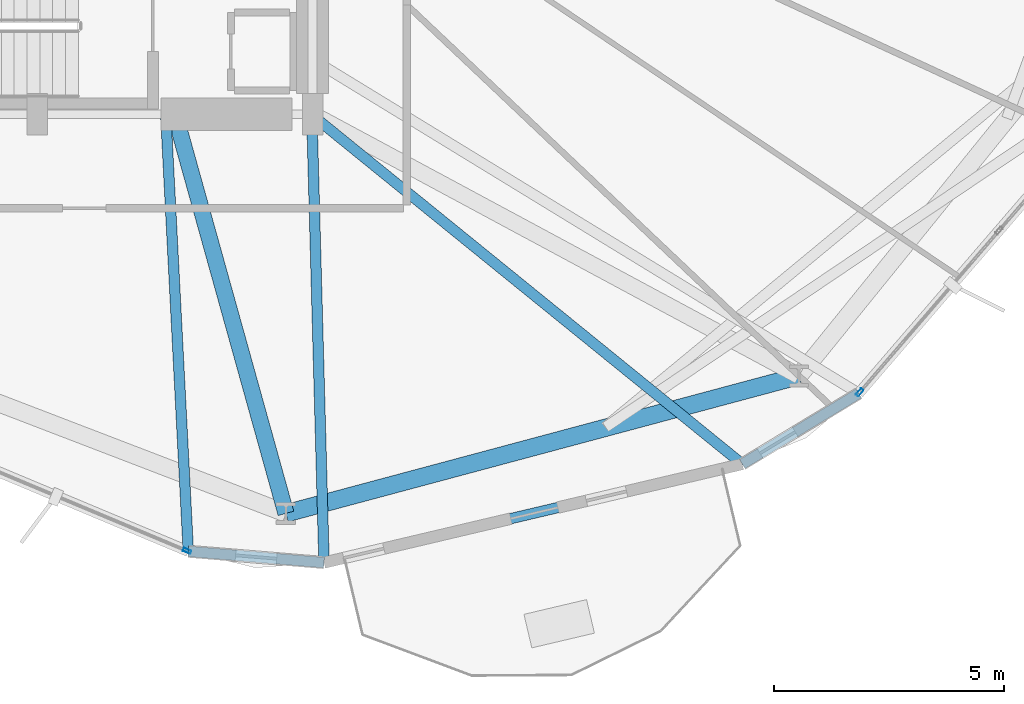
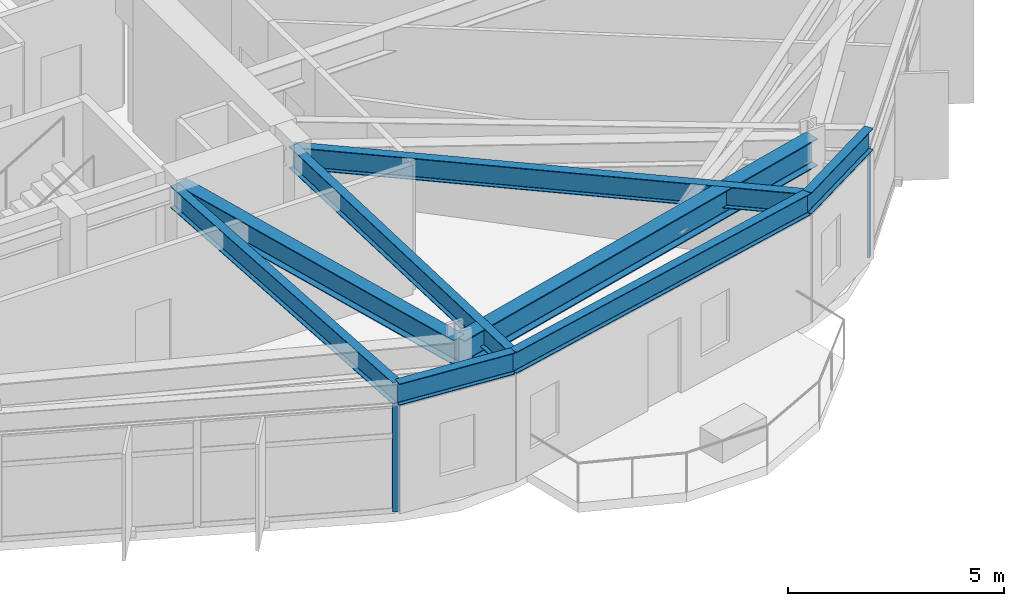
# One storey, part 4 of 21: 8 beams, 2 members, 2 elements without a shape of their own.
"""IFC4 building model written with IfcOpenShell, lengths in metres."""

from ifc_helpers import new_model, si_unit, direction, frame, origin, origin_2d, place, context, subcontext, project, spatial, hollow_rectangle, i_section, extrude, material, layer, layer_set, material_profile, profile_set, type_object, element, aggregate, save


model = new_model("IFC4")

# Units and contexts
model_context = context("Model", 3, precision=1e-05, world=origin(), true_north=direction((0.0, 1.0)))
body_context = subcontext(model_context, "Body", "Model", "MODEL_VIEW")
ifc_project = project(units=[si_unit("LENGTHUNIT", "METRE"), si_unit("AREAUNIT", "SQUARE_METRE"), si_unit("VOLUMEUNIT", "CUBIC_METRE"), si_unit("PLANEANGLEUNIT", "RADIAN"), si_unit("MASSUNIT", "GRAM", prefix="KILO")], contexts=[model_context])

# Site, building, storey
site_placement = place(None, origin())
site = spatial("IfcSite", under=ifc_project, at=site_placement, CompositionType="ELEMENT")
building_placement = place(site_placement, origin())
building = spatial("IfcBuilding", under=site, at=building_placement, Name="Soratama Intermodal Tower", CompositionType="ELEMENT")
storey_placement = place(building_placement, frame((0.0, 0.0, 78.60009765625)))
storey = spatial("IfcBuildingStorey", under=building, at=storey_placement, Name="L18", CompositionType="ELEMENT", Elevation=78.60009765625)

# Beams
ifc_material_1 = material(Name="Structural steel ASTM A992 Grade 50", Category="steel")
ifc_material_profile_1 = material_profile(ifc_material_1, i_section(OverallWidth=0.35498046875, OverallDepth=0.695068359375, WebThickness=0.015380859375, FlangeThickness=0.02490234375, FilletRadius=0.01611328125, at=origin_2d()), Name="W27X146")
ifc_profile_set_1 = profile_set([ifc_material_profile_1], Name="Structural steel ASTM A992 Grade 50")
beam_type_1 = type_object("IfcBeamType", Name="BM-RING-W27X146", PredefinedType="BEAM", material=ifc_profile_set_1)
beam_1_placement = place(storey_placement, frame((41.60009765625, 15.0, 3.3125), z_axis=(0.26814752121, -0.963377862974, 0.0), x_axis=(0.963377862974, 0.26814752121, 0.0)))
element("IfcBeam", 1, at=beam_1_placement, inside=storey, type_object=beam_type_1, Name="BM-L18-RAD-08", PredefinedType="BEAM", context=body_context, shape_type="SweptSolid", body=[
    extrude(i_section(OverallWidth=0.35498046875, OverallDepth=0.695068359375, WebThickness=0.015380859375, FlangeThickness=0.02490234375, FilletRadius=0.01611328125, at=origin_2d()), origin(), (0.0, 0.0, 1.0), 9.024658203125),
])
ifc_material_2 = material(Name="Structural steel ASTM A992 Grade 50", Category="steel")
ifc_material_profile_2 = material_profile(ifc_material_2, i_section(OverallWidth=0.382080078125, OverallDepth=0.779052734375, WebThickness=0.01806640625, FlangeThickness=0.030029296875, FilletRadius=0.01806640625, at=origin_2d()), Name="W30X191")
ifc_profile_set_2 = profile_set([ifc_material_profile_2], Name="Structural steel ASTM A992 Grade 50")
beam_type_2 = type_object("IfcBeamType", Name="BM-RING-W30X191", PredefinedType="BEAM", material=ifc_profile_set_2)
beam_2_placement = place(storey_placement, frame((44.02001953125, 6.305908203125, 3.2705078125), z_axis=(0.965935902196, 0.258781438376, 0.0), x_axis=(-0.258781438376, 0.965935902196, 0.0)))
element("IfcBeam", 2, at=beam_2_placement, inside=storey, type_object=beam_type_2, Name="BM-L18-RING-08", PredefinedType="BEAM", context=body_context, shape_type="SweptSolid", body=[
    extrude(i_section(OverallWidth=0.382080078125, OverallDepth=0.779052734375, WebThickness=0.01806640625, FlangeThickness=0.030029296875, FilletRadius=0.01806640625, at=origin_2d()), origin(), (0.0, 0.0, 1.0), 11.570068359375),
])
ifc_material_3 = material(Name="Structural steel ASTM A992 Grade 50", Category="steel")
ifc_material_profile_3 = material_profile(ifc_material_3, i_section(OverallWidth=0.22900390625, OverallDepth=0.612060546875, WebThickness=0.011962890625, FlangeThickness=0.01953125, FilletRadius=0.012939453125, at=origin_2d()), Name="W24X84")
ifc_profile_set_3 = profile_set([ifc_material_profile_3], Name="Structural steel ASTM A992 Grade 50")
beam_type_3 = type_object("IfcBeamType", Name="BM-SPN-W24X84", PredefinedType="SPANDREL", material=ifc_profile_set_3)
beam_3_placement = place(storey_placement, frame((41.89306640625, 5.47802734375, 3.35400390625), z_axis=(0.996579732731, -0.082636773345, 0.0), x_axis=(0.082636773345, 0.996579732731, 0.0)))
element("IfcBeam", 3, at=beam_3_placement, inside=storey, type_object=beam_type_3, Name="BS-L18-CRN07", PredefinedType="SPANDREL", context=body_context, shape_type="SweptSolid", body=[
    extrude(i_section(OverallWidth=0.22900390625, OverallDepth=0.612060546875, WebThickness=0.011962890625, FlangeThickness=0.01953125, FilletRadius=0.012939453125, at=origin_2d()), origin(), (0.0, 0.0, 1.0), 2.96630859375),
])
beam_4_placement = place(storey_placement, frame((44.84912109375, 5.23291015625, 3.35400390625), z_axis=(0.973345294504, 0.229344582816, 0.0), x_axis=(-0.229344582816, 0.973345294504, 0.0)))
element("IfcBeam", 4, at=beam_4_placement, inside=storey, type_object=beam_type_3, Name="BS-L18-F08", PredefinedType="SPANDREL", context=body_context, shape_type="SweptSolid", body=[
    extrude(i_section(OverallWidth=0.22900390625, OverallDepth=0.612060546875, WebThickness=0.011962890625, FlangeThickness=0.01953125, FilletRadius=0.012939453125, at=origin_2d()), origin(), (0.0, 0.0, 1.0), 9.361328125),
])
beam_5_placement = place(storey_placement, frame((53.9609375, 7.3798828125, 3.35400390625), z_axis=(0.854897020452, 0.518797729778, 0.0), x_axis=(-0.518797729778, 0.854897020452, 0.0)))
element("IfcBeam", 5, at=beam_5_placement, inside=storey, type_object=beam_type_3, Name="BS-L18-CRN08", PredefinedType="SPANDREL", context=body_context, shape_type="SweptSolid", body=[
    extrude(i_section(OverallWidth=0.22900390625, OverallDepth=0.612060546875, WebThickness=0.011962890625, FlangeThickness=0.01953125, FilletRadius=0.012939453125, at=origin_2d()), origin(), (0.0, 0.0, 1.0), 2.966552734375),
])
ifc_material_4 = material(Name="Structural steel ASTM A992 Grade 50", Category="steel")
ifc_material_profile_4 = material_profile(ifc_material_4, i_section(OverallWidth=0.22900390625, OverallDepth=0.612060546875, WebThickness=0.011962890625, FlangeThickness=0.01953125, FilletRadius=0.012939453125, at=origin_2d()), Name="W24X84")
ifc_profile_set_4 = profile_set([ifc_material_profile_4], Name="Structural steel ASTM A992 Grade 50")
beam_type_4 = type_object("IfcBeamType", Name="BM-TIE-W24X84", PredefinedType="BEAM", material=ifc_profile_set_4)
beam_6_placement = place(storey_placement, frame((41.403076171875, 14.9599609375, 3.35400390625), z_axis=(0.051607332502, -0.998667453776, 0.0), x_axis=(0.998667453776, 0.051607332502, 0.0)))
element("IfcBeam", 6, at=beam_6_placement, inside=storey, type_object=beam_type_4, Name="BM-L18-TIE1-07", PredefinedType="BEAM", context=body_context, shape_type="SweptSolid", body=[
    extrude(i_section(OverallWidth=0.22900390625, OverallDepth=0.612060546875, WebThickness=0.011962890625, FlangeThickness=0.01953125, FilletRadius=0.012939453125, at=origin_2d()), origin(), (0.0, 0.0, 1.0), 9.49462890625),
])
beam_7_placement = place(storey_placement, frame((44.583984375, 14.9599609375, 3.35400390625), z_axis=(0.02724754747, -0.999628716653, 0.0), x_axis=(0.999628716653, 0.02724754747, 0.0)))
element("IfcBeam", 7, at=beam_7_placement, inside=storey, type_object=beam_type_4, Name="BM-L18-TIE0-08", PredefinedType="BEAM", context=body_context, shape_type="SweptSolid", body=[
    extrude(i_section(OverallWidth=0.22900390625, OverallDepth=0.612060546875, WebThickness=0.011962890625, FlangeThickness=0.01953125, FilletRadius=0.012939453125, at=origin_2d()), origin(), (0.0, 0.0, 1.0), 9.730712890625),
])
beam_8_placement = place(storey_placement, frame((44.596923828125, 14.97509765625, 3.35400390625), z_axis=(0.776643292502, -0.629940629116, 0.0), x_axis=(0.629940629116, 0.776643292502, 0.0)))
element("IfcBeam", 8, at=beam_8_placement, inside=storey, type_object=beam_type_4, Name="BM-L18-TIE1-08", PredefinedType="BEAM", context=body_context, shape_type="SweptSolid", body=[
    extrude(i_section(OverallWidth=0.22900390625, OverallDepth=0.612060546875, WebThickness=0.011962890625, FlangeThickness=0.01953125, FilletRadius=0.012939453125, at=origin_2d()), origin(), (0.0, 0.0, 1.0), 12.05712890625),
])

# Curtain wall, member
ifc_material_5 = material(Name="Double-glazed aluminium curtain wall", Category="aluminium")
ifc_layer = layer(ifc_material_5, 0.159912109375)
ifc_layer_set = layer_set([ifc_layer], Name="Double-glazed aluminium curtain wall")
curtain_wall_type = type_object("IfcCurtainWallType", Name="CW-SYS-2", PredefinedType="NOTDEFINED", material=ifc_layer_set)
curtain_wall_1_placement = place(storey_placement, origin())
curtain_wall_1 = element("IfcCurtainWall", 9, at=curtain_wall_1_placement, inside=storey, type_object=curtain_wall_type, Name="L18 Faceted Curtain Wall F07", PredefinedType="NOTDEFINED")
ifc_material_6 = material(Name="Anodised aluminium AA 6063-T6", Category="aluminium")
ifc_material_profile_5 = material_profile(ifc_material_6, hollow_rectangle(XDim=0.074951171875, YDim=0.179931640625, WallThickness=0.006103515625, InnerFilletRadius=0.006103515625, OuterFilletRadius=0.011962890625, at=origin_2d()), Name="CWM180X75X6")
ifc_profile_set_5 = profile_set([ifc_material_profile_5], Name="Anodised aluminium AA 6063-T6")
member_type = type_object("IfcMemberType", Name="MT-CWM-2", PredefinedType="MULLION", material=ifc_profile_set_5)
member_1_placement = place(storey_placement, frame((41.865234375, 5.4892578125, 0.0), z_axis=(0.0, 0.0, 1.0), x_axis=(0.386551719837, 0.922267731134, 0.0)))
member_1 = element("IfcMember", 10, at=member_1_placement, type_object=member_type, Name="CW-2 mullion 3", PredefinedType="MULLION", context=body_context, shape_type="SweptSolid", body=[
    extrude(hollow_rectangle(XDim=0.074951171875, YDim=0.179931640625, WallThickness=0.006103515625, InnerFilletRadius=0.006103515625, OuterFilletRadius=0.011962890625, at=origin_2d()), origin(), (0.0, 0.0, 1.0), 3.038818359375),
])
aggregate(curtain_wall_1, [member_1])

curtain_wall_2_placement = place(storey_placement, origin())
curtain_wall_2 = element("IfcCurtainWall", 11, at=curtain_wall_2_placement, inside=storey, type_object=curtain_wall_type, Name="L18 Faceted Curtain Wall F09", PredefinedType="NOTDEFINED")
member_2_placement = place(storey_placement, frame((56.5166015625, 8.942138671875, 0.0), z_axis=(0.0, 0.0, 1.0), x_axis=(-0.757677681537, 0.652628938142, 0.0)))
member_2 = element("IfcMember", 12, at=member_2_placement, type_object=member_type, Name="CW-2 mullion 1", PredefinedType="MULLION", context=body_context, shape_type="SweptSolid", body=[
    extrude(hollow_rectangle(XDim=0.074951171875, YDim=0.179931640625, WallThickness=0.006103515625, InnerFilletRadius=0.006103515625, OuterFilletRadius=0.011962890625, at=origin_2d()), origin(), (0.0, 0.0, 1.0), 3.038818359375),
])
aggregate(curtain_wall_2, [member_2])

save(model, "model.ifc")
